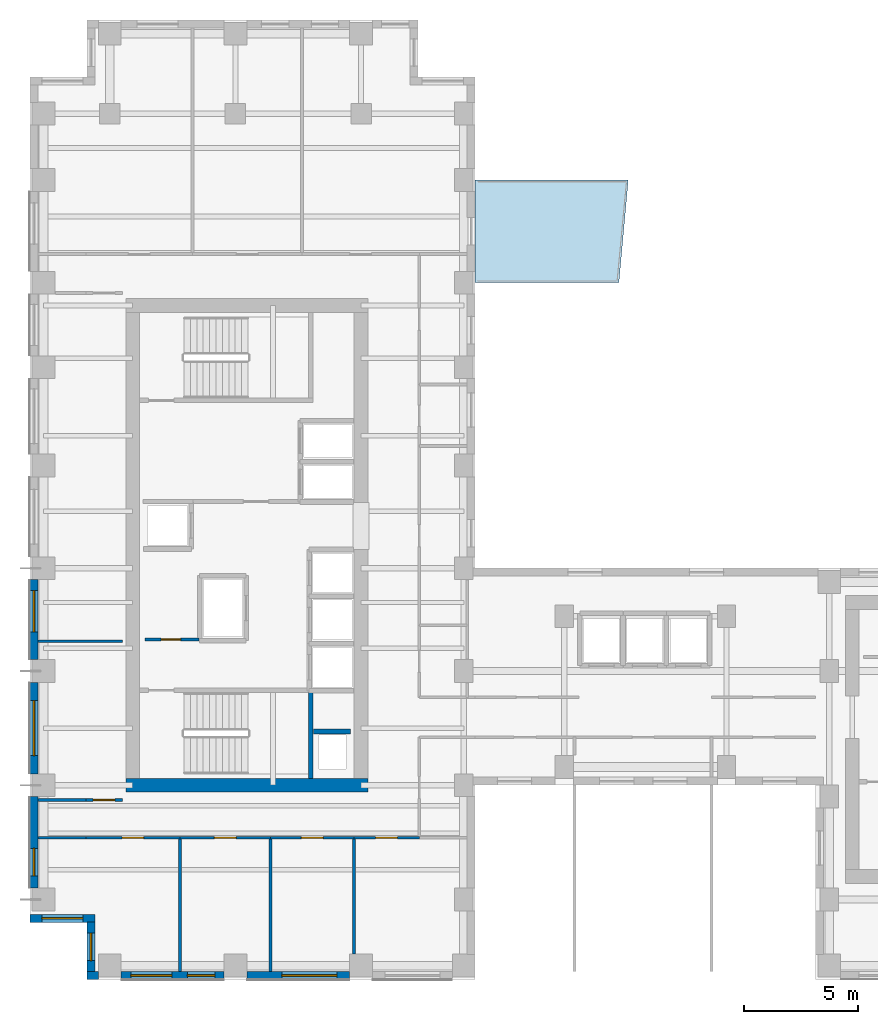
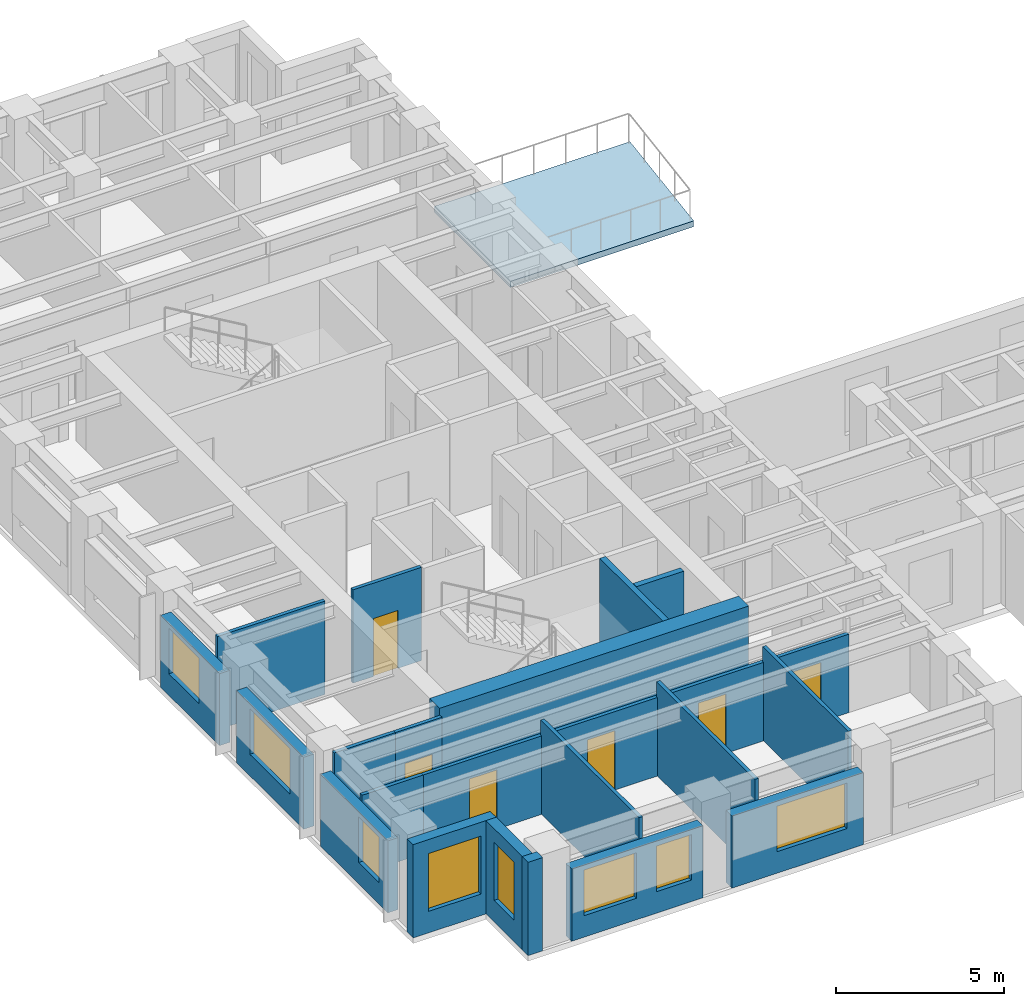
# One storey, part 3 of 11: 23 walls, 8 windows, 6 doors, 1 slab, 14 openings.
"""IFC4 building model written with IfcOpenShell, lengths in metres."""

from ifc_helpers import new_model, si_unit, direction, frame, frame_2d, origin, place, context, subcontext, project, spatial, polyline, rectangle, outline, extrude, source, transform, mapped, material, layer, layer_set, type_object, element, fill, save


model = new_model("IFC4")

# Units and contexts
model_context = context("Model", 3, precision=1e-05, world=origin(), true_north=direction((0.0, 1.0)))
body_context = subcontext(model_context, "Body", "Model", "MODEL_VIEW")
ifc_project = project(units=[si_unit("LENGTHUNIT", "METRE"), si_unit("AREAUNIT", "SQUARE_METRE"), si_unit("VOLUMEUNIT", "CUBIC_METRE"), si_unit("PLANEANGLEUNIT", "RADIAN"), si_unit("MASSUNIT", "GRAM", prefix="KILO")], contexts=[model_context])

# Site, building, storey
site_placement = place(None, origin())
site = spatial("IfcSite", under=ifc_project, at=site_placement, CompositionType="ELEMENT")
building_placement = place(site_placement, origin())
building = spatial("IfcBuilding", under=site, at=building_placement, Name="Kharzan Plaza Tower", CompositionType="ELEMENT")
storey_placement = place(building_placement, frame((0.0, 0.0, 200.699951171875)))
storey = spatial("IfcBuildingStorey", under=building, at=storey_placement, Name="L54", CompositionType="ELEMENT", Elevation=200.699951171875)

# Slab
ifc_material_1 = material(Name="Concrete C40/50", Category="concrete")
ifc_layer_1 = layer(ifc_material_1, 0.215087890625)
ifc_layer_set_1 = layer_set([ifc_layer_1], Name="Concrete C40/50")
slab_type = type_object("IfcSlabType", Name="SL-TRAY-215", PredefinedType="ROOF", material=ifc_layer_set_1)
slab_placement = place(storey_placement, frame((0.0, 0.0, -0.21484375)))
element("IfcSlab", 1, at=slab_placement, inside=storey, type_object=slab_type, Name="L54 Sky Terrace Tray Slab", PredefinedType="ROOF", context=body_context, shape_type="SweptSolid", body=[
    extrude(outline(polyline([(19.5, 30.5), (25.7900390625, 30.5), (26.199951171875, 35.0), (19.5, 35.0), (19.5, 30.5)])), origin(), (0.0, 0.0, 1.0), 0.21484375),
])

# Wall, opening, window
ifc_layer_2 = layer(ifc_material_1, 0.35009765625)
ifc_layer_set_2 = layer_set([ifc_layer_2], Name="Concrete C40/50")
wall_type_1 = type_object("IfcWallType", Name="WL-EXT-MAS-Z3", PredefinedType="SOLIDWALL", material=ifc_layer_set_2)
wall_1_placement = place(storey_placement, frame((0.175048828125, 17.501953125, 0.0), z_axis=(0.0, 0.0, 1.0), x_axis=(0.0, -1.0, 0.0)))
wall_1 = element("IfcWall", 2, at=wall_1_placement, inside=storey, type_object=wall_type_1, Name="L54 Masonry-Frame Exterior Wall 15", PredefinedType="SOLIDWALL", context=body_context, shape_type="SweptSolid", body=[
    extrude(rectangle(XDim=3.50390625, YDim=0.35009765625, at=frame_2d((1.751953125, 0.0))), origin(), (0.0, 0.0, 1.0), 2.612060546875),
])
opening_1_placement = place(wall_1_placement, frame((0.486083984375, 0.0, 0.780029296875)))
opening_1 = element("IfcOpeningElement", 3, at=opening_1_placement, cuts=wall_1, Name="Opening W1", PredefinedType="OPENING", context=body_context, shape_type="SweptSolid", body=[
    extrude(rectangle(XDim=1.800048828125, YDim=1.652099609375, at=frame_2d((0.89990234375, 0.826171875))), frame((0.0, 0.18505859375, 0.0), z_axis=(0.0, -1.0, 0.0), x_axis=(1.0, 0.0, 0.0)), (0.0, 0.0, 1.0), 0.3701171875),
])
ifc_material_2 = material(Name="Low-E Double Glazing", Category="glass")
window_type_1 = type_object("IfcWindowType", Name="WN-REC-1800x2100", PartitioningType="SINGLE_PANEL", PredefinedType="WINDOW", material=ifc_material_2)
shared_shape_1 = source(origin(), body_context, "Body", "SweptSolid", [
    extrude(rectangle(XDim=1.800048828125, YDim=1.652099609375, at=frame_2d((0.89990234375, 0.826171875))), frame((0.0, 0.030029296875, 0.0), z_axis=(0.0, -1.0, 0.0), x_axis=(1.0, 0.0, 0.0)), (0.0, 0.0, 1.0), 0.06005859375),
])
window_1_placement = place(opening_1_placement, origin())
window_1 = element("IfcWindow", 4, at=window_1_placement, inside=storey, type_object=window_type_1, Name="L54 Recessed Solar-Control Window 15-1", OverallHeight=1.652099609375, OverallWidth=1.800048828125, PartitioningType="SINGLE_PANEL", PredefinedType="WINDOW", context=body_context, shape_type="MappedRepresentation", body=[
    mapped(shared_shape_1, transform((0.0, 0.0, 0.0), x_axis=(1.0, 0.0, 0.0), y_axis=(0.0, 1.0, 0.0), z_axis=(0.0, 0.0, 1.0))),
])
fill(opening_1, window_1)

wall_2_placement = place(storey_placement, frame((0.175048828125, 13.001953125, 0.0), z_axis=(0.0, 0.0, 1.0), x_axis=(0.0, -1.0, 0.0)))
wall_2 = element("IfcWall", 5, at=wall_2_placement, inside=storey, type_object=wall_type_1, Name="L54 Masonry-Frame Exterior Wall 16", PredefinedType="SOLIDWALL", context=body_context, shape_type="SweptSolid", body=[
    extrude(rectangle(XDim=4.00390625, YDim=0.35009765625, at=frame_2d((2.001953125, 0.0))), origin(), (0.0, 0.0, 1.0), 2.612060546875),
])
opening_2_placement = place(wall_2_placement, frame((0.802001953125, 0.0, 0.780029296875)))
opening_2 = element("IfcOpeningElement", 6, at=opening_2_placement, cuts=wall_2, Name="Opening W2", PredefinedType="OPENING", context=body_context, shape_type="SweptSolid", body=[
    extrude(rectangle(XDim=2.39990234375, YDim=1.652099609375, at=frame_2d((1.199951171875, 0.826171875))), frame((0.0, 0.18505859375, 0.0), z_axis=(0.0, -1.0, 0.0), x_axis=(1.0, 0.0, 0.0)), (0.0, 0.0, 1.0), 0.3701171875),
])
window_type_2 = type_object("IfcWindowType", Name="WN-REC-2400x2100", PartitioningType="SINGLE_PANEL", PredefinedType="WINDOW", material=ifc_material_2)
shared_shape_2 = source(origin(), body_context, "Body", "SweptSolid", [
    extrude(rectangle(XDim=2.39990234375, YDim=1.652099609375, at=frame_2d((1.199951171875, 0.826171875))), frame((0.0, 0.030029296875, 0.0), z_axis=(0.0, -1.0, 0.0), x_axis=(1.0, 0.0, 0.0)), (0.0, 0.0, 1.0), 0.06005859375),
])
window_2_placement = place(opening_2_placement, origin())
window_2 = element("IfcWindow", 7, at=window_2_placement, inside=storey, type_object=window_type_2, Name="L54 Wide Recessed Solar-Control Window 16-1", OverallHeight=1.652099609375, OverallWidth=2.39990234375, PartitioningType="SINGLE_PANEL", PredefinedType="WINDOW", context=body_context, shape_type="MappedRepresentation", body=[
    mapped(shared_shape_2, transform((0.0, 0.0, 0.0), x_axis=(1.0, 0.0, 0.0), y_axis=(0.0, 1.0, 0.0), z_axis=(0.0, 0.0, 1.0))),
])
fill(opening_2, window_2)

wall_3_placement = place(storey_placement, frame((0.175048828125, 8.001953125, 0.0), z_axis=(0.0, 0.0, 1.0), x_axis=(0.0, -1.0, 0.0)))
wall_3 = element("IfcWall", 8, at=wall_3_placement, inside=storey, type_object=wall_type_1, Name="L54 Masonry-Frame Exterior Wall 17", PredefinedType="SOLIDWALL", context=body_context, shape_type="SweptSolid", body=[
    extrude(rectangle(XDim=4.00390625, YDim=0.35009765625, at=frame_2d((2.001953125, 0.0))), origin(), (0.0, 0.0, 1.0), 2.612060546875),
])
opening_3_placement = place(wall_3_placement, frame((2.26806640625, 0.0, 0.780029296875)))
opening_3 = element("IfcOpeningElement", 9, at=opening_3_placement, cuts=wall_3, Name="Opening W3", PredefinedType="OPENING", context=body_context, shape_type="SweptSolid", body=[
    extrude(rectangle(XDim=1.199951171875, YDim=1.652099609375, at=frame_2d((0.60009765625, 0.826171875))), frame((0.0, 0.18505859375, 0.0), z_axis=(0.0, -1.0, 0.0), x_axis=(1.0, 0.0, 0.0)), (0.0, 0.0, 1.0), 0.3701171875),
])
window_type_3 = type_object("IfcWindowType", Name="WN-REC-1200x2100", PartitioningType="SINGLE_PANEL", PredefinedType="WINDOW", material=ifc_material_2)
shared_shape_3 = source(origin(), body_context, "Body", "SweptSolid", [
    extrude(rectangle(XDim=1.199951171875, YDim=1.652099609375, at=frame_2d((0.60009765625, 0.826171875))), frame((0.0, 0.030029296875, 0.0), z_axis=(0.0, -1.0, 0.0), x_axis=(1.0, 0.0, 0.0)), (0.0, 0.0, 1.0), 0.06005859375),
])
window_3_placement = place(opening_3_placement, origin())
window_3 = element("IfcWindow", 10, at=window_3_placement, inside=storey, type_object=window_type_3, Name="L54 Recessed Solar-Control Window 17-1", OverallHeight=1.652099609375, OverallWidth=1.199951171875, PartitioningType="SINGLE_PANEL", PredefinedType="WINDOW", context=body_context, shape_type="MappedRepresentation", body=[
    mapped(shared_shape_3, transform((0.0, 0.0, 0.0), x_axis=(1.0, 0.0, 0.0), y_axis=(0.0, 1.0, 0.0), z_axis=(0.0, 0.0, 1.0))),
])
fill(opening_3, window_3)

wall_4_placement = place(storey_placement, frame((0.0, 2.675048828125, 0.0), z_axis=(0.0, 0.0, 1.0), x_axis=(1.0, 0.0, 0.0)))
wall_4 = element("IfcWall", 11, at=wall_4_placement, inside=storey, type_object=wall_type_1, Name="L54 Masonry-Frame Exterior Wall 18", PredefinedType="SOLIDWALL", context=body_context, shape_type="SweptSolid", body=[
    extrude(rectangle(XDim=2.85009765625, YDim=0.35009765625, at=frame_2d((1.425048828125, 0.0))), origin(), (0.0, 0.0, 1.0), 3.385009765625),
])
opening_4_placement = place(wall_4_placement, frame((0.52490234375, 0.0, 0.780029296875)))
opening_4 = element("IfcOpeningElement", 12, at=opening_4_placement, cuts=wall_4, Name="Opening W1", PredefinedType="OPENING", context=body_context, shape_type="SweptSolid", body=[
    extrude(rectangle(XDim=1.800048828125, YDim=2.10009765625, at=frame_2d((0.89990234375, 1.050048828125))), frame((0.0, 0.18505859375, 0.0), z_axis=(0.0, -1.0, 0.0), x_axis=(1.0, 0.0, 0.0)), (0.0, 0.0, 1.0), 0.3701171875),
])
shared_shape_4 = source(origin(), body_context, "Body", "SweptSolid", [
    extrude(rectangle(XDim=1.800048828125, YDim=2.10009765625, at=frame_2d((0.89990234375, 1.050048828125))), frame((0.0, 0.030029296875, 0.0), z_axis=(0.0, -1.0, 0.0), x_axis=(1.0, 0.0, 0.0)), (0.0, 0.0, 1.0), 0.06005859375),
])
window_4_placement = place(opening_4_placement, origin())
window_4 = element("IfcWindow", 13, at=window_4_placement, inside=storey, type_object=window_type_1, Name="L54 Recessed Solar-Control Window 18-1", OverallHeight=2.10009765625, OverallWidth=1.800048828125, PartitioningType="SINGLE_PANEL", PredefinedType="WINDOW", context=body_context, shape_type="MappedRepresentation", body=[
    mapped(shared_shape_4, transform((0.0, 0.0, 0.0), x_axis=(1.0, 0.0, 0.0), y_axis=(0.0, 1.0, 0.0), z_axis=(0.0, 0.0, 1.0))),
])
fill(opening_4, window_4)

wall_5_placement = place(storey_placement, frame((2.675048828125, 2.501953125, 0.0), z_axis=(0.0, 0.0, 1.0), x_axis=(0.0, -1.0, 0.0)))
wall_5 = element("IfcWall", 14, at=wall_5_placement, inside=storey, type_object=wall_type_1, Name="L54 Masonry-Frame Exterior Wall 19", PredefinedType="SOLIDWALL", context=body_context, shape_type="SweptSolid", body=[
    extrude(rectangle(XDim=2.154052734375, YDim=0.35009765625, at=frame_2d((1.0771484375, 0.0))), origin(), (0.0, 0.0, 1.0), 3.385009765625),
])
opening_5_placement = place(wall_5_placement, frame((0.47705078125, 0.0, 0.780029296875)))
opening_5 = element("IfcOpeningElement", 15, at=opening_5_placement, cuts=wall_5, Name="Opening W3", PredefinedType="OPENING", context=body_context, shape_type="SweptSolid", body=[
    extrude(rectangle(XDim=1.199951171875, YDim=2.10009765625, at=frame_2d((0.60009765625, 1.050048828125))), frame((0.0, 0.18505859375, 0.0), z_axis=(0.0, -1.0, 0.0), x_axis=(1.0, 0.0, 0.0)), (0.0, 0.0, 1.0), 0.3701171875),
])
shared_shape_5 = source(origin(), body_context, "Body", "SweptSolid", [
    extrude(rectangle(XDim=1.199951171875, YDim=2.10009765625, at=frame_2d((0.60009765625, 1.050048828125))), frame((0.0, 0.030029296875, 0.0), z_axis=(0.0, -1.0, 0.0), x_axis=(1.0, 0.0, 0.0)), (0.0, 0.0, 1.0), 0.06005859375),
])
window_5_placement = place(opening_5_placement, origin())
window_5 = element("IfcWindow", 16, at=window_5_placement, inside=storey, type_object=window_type_3, Name="L54 Recessed Solar-Control Window 19-1", OverallHeight=2.10009765625, OverallWidth=1.199951171875, PartitioningType="SINGLE_PANEL", PredefinedType="WINDOW", context=body_context, shape_type="MappedRepresentation", body=[
    mapped(shared_shape_5, transform((0.0, 0.0, 0.0), x_axis=(1.0, 0.0, 0.0), y_axis=(0.0, 1.0, 0.0), z_axis=(0.0, 0.0, 1.0))),
])
fill(opening_5, window_5)

# Wall, openings, windows
wall_6_placement = place(storey_placement, frame((3.998046875, 0.175048828125, 0.0), z_axis=(0.0, 0.0, 1.0), x_axis=(1.0, 0.0, 0.0)))
wall_6 = element("IfcWall", 17, at=wall_6_placement, inside=storey, type_object=wall_type_1, Name="L54 Masonry-Frame Exterior Wall 21", PredefinedType="SOLIDWALL", context=body_context, shape_type="SweptSolid", body=[
    extrude(rectangle(XDim=4.50390625, YDim=0.35009765625, at=frame_2d((2.251953125, 0.0))), origin(), (0.0, 0.0, 1.0), 2.612060546875),
])
opening_6_placement = place(wall_6_placement, frame((0.422119140625, 0.0, 0.780029296875)))
opening_6 = element("IfcOpeningElement", 18, at=opening_6_placement, cuts=wall_6, Name="Opening W1", PredefinedType="OPENING", context=body_context, shape_type="SweptSolid", body=[
    extrude(rectangle(XDim=1.800048828125, YDim=1.652099609375, at=frame_2d((0.89990234375, 0.826171875))), frame((0.0, 0.18505859375, 0.0), z_axis=(0.0, -1.0, 0.0), x_axis=(1.0, 0.0, 0.0)), (0.0, 0.0, 1.0), 0.3701171875),
])
opening_7_placement = place(wall_6_placement, frame((2.904052734375, 0.0, 0.780029296875)))
opening_7 = element("IfcOpeningElement", 19, at=opening_7_placement, cuts=wall_6, Name="Opening W3", PredefinedType="OPENING", context=body_context, shape_type="SweptSolid", body=[
    extrude(rectangle(XDim=1.199951171875, YDim=1.652099609375, at=frame_2d((0.60009765625, 0.826171875))), frame((0.0, 0.18505859375, 0.0), z_axis=(0.0, -1.0, 0.0), x_axis=(1.0, 0.0, 0.0)), (0.0, 0.0, 1.0), 0.3701171875),
])
window_6_placement = place(opening_6_placement, origin())
window_6 = element("IfcWindow", 20, at=window_6_placement, inside=storey, type_object=window_type_1, Name="L54 Recessed Solar-Control Window 21-1", OverallHeight=1.652099609375, OverallWidth=1.800048828125, PartitioningType="SINGLE_PANEL", PredefinedType="WINDOW", context=body_context, shape_type="MappedRepresentation", body=[
    mapped(shared_shape_1, transform((0.0, 0.0, 0.0), x_axis=(1.0, 0.0, 0.0), y_axis=(0.0, 1.0, 0.0), z_axis=(0.0, 0.0, 1.0))),
])
fill(opening_6, window_6)
window_7_placement = place(opening_7_placement, origin())
window_7 = element("IfcWindow", 21, at=window_7_placement, inside=storey, type_object=window_type_3, Name="L54 Recessed Solar-Control Window 21-2", OverallHeight=1.652099609375, OverallWidth=1.199951171875, PartitioningType="SINGLE_PANEL", PredefinedType="WINDOW", context=body_context, shape_type="MappedRepresentation", body=[
    mapped(shared_shape_3, transform((0.0, 0.0, 0.0), x_axis=(1.0, 0.0, 0.0), y_axis=(0.0, 1.0, 0.0), z_axis=(0.0, 0.0, 1.0))),
])
fill(opening_7, window_7)

# Wall, opening, window
wall_7_placement = place(storey_placement, frame((9.498046875, 0.175048828125, 0.0), z_axis=(0.0, 0.0, 1.0), x_axis=(1.0, 0.0, 0.0)))
wall_7 = element("IfcWall", 22, at=wall_7_placement, inside=storey, type_object=wall_type_1, Name="L54 Masonry-Frame Exterior Wall 22", PredefinedType="SOLIDWALL", context=body_context, shape_type="SweptSolid", body=[
    extrude(rectangle(XDim=4.50390625, YDim=0.35009765625, at=frame_2d((2.251953125, 0.0))), origin(), (0.0, 0.0, 1.0), 2.612060546875),
])
opening_8_placement = place(wall_7_placement, frame((1.5400390625, 0.0, 0.780029296875)))
opening_8 = element("IfcOpeningElement", 23, at=opening_8_placement, cuts=wall_7, Name="Opening W2", PredefinedType="OPENING", context=body_context, shape_type="SweptSolid", body=[
    extrude(rectangle(XDim=2.39990234375, YDim=1.652099609375, at=frame_2d((1.199951171875, 0.826171875))), frame((0.0, 0.18505859375, 0.0), z_axis=(0.0, -1.0, 0.0), x_axis=(1.0, 0.0, 0.0)), (0.0, 0.0, 1.0), 0.3701171875),
])
window_8_placement = place(opening_8_placement, origin())
window_8 = element("IfcWindow", 24, at=window_8_placement, inside=storey, type_object=window_type_2, Name="L54 Wide Recessed Solar-Control Window 22-1", OverallHeight=1.652099609375, OverallWidth=2.39990234375, PartitioningType="SINGLE_PANEL", PredefinedType="WINDOW", context=body_context, shape_type="MappedRepresentation", body=[
    mapped(shared_shape_2, transform((0.0, 0.0, 0.0), x_axis=(1.0, 0.0, 0.0), y_axis=(0.0, 1.0, 0.0), z_axis=(0.0, 0.0, 1.0))),
])
fill(opening_8, window_8)

# Wall, opening, door
ifc_material_3 = material(Name="Fire-Rated Gypsum Board Partition", Category="gypsum")
ifc_layer_3 = layer(ifc_material_3, 0.125)
ifc_layer_set_3 = layer_set([ifc_layer_3], Name="Fire-Rated Gypsum Board Partition")
wall_type_2 = type_object("IfcWallType", Name="WL-INT-PART-125", PredefinedType="PARTITIONING", material=ifc_layer_set_3)
wall_8_placement = place(storey_placement, frame((5.050048828125, 14.8798828125, 0.0), z_axis=(0.0, 0.0, 1.0), x_axis=(1.0, 0.0, 0.0)))
wall_8 = element("IfcWall", 25, at=wall_8_placement, inside=storey, type_object=wall_type_2, Name="L54 Interior Partition CA-K0", PredefinedType="PARTITIONING", context=body_context, shape_type="SweptSolid", body=[
    extrude(rectangle(XDim=2.349853515625, YDim=0.125, at=frame_2d((1.1748046875, 0.0))), origin(), (0.0, 0.0, 1.0), 3.385009765625),
])
opening_9_placement = place(wall_8_placement, frame((0.699951171875, 0.0, 0.0)))
opening_9 = element("IfcOpeningElement", 26, at=opening_9_placement, cuts=wall_8, Name="Opening RD1", PredefinedType="OPENING", context=body_context, shape_type="SweptSolid", body=[
    extrude(rectangle(XDim=0.85009765625, YDim=2.10009765625, at=frame_2d((0.425048828125, 1.050048828125))), frame((0.0, 0.072509765625, 0.0), z_axis=(0.0, -1.0, 0.0), x_axis=(1.0, 0.0, 0.0)), (0.0, 0.0, 1.0), 0.14501953125),
])
ifc_material_4 = material(Name="Powder-Coated Fire-Rated Steel", Category="steel")
door_type_1 = type_object("IfcDoorType", Name="DR-RISER-900", OperationType="NOTDEFINED", PredefinedType="DOOR", material=ifc_material_4)
shared_shape_6 = source(origin(), body_context, "Body", "SweptSolid", [
    extrude(rectangle(XDim=0.85009765625, YDim=2.10009765625, at=frame_2d((0.425048828125, 1.050048828125))), frame((0.0, 0.02490234375, 0.0), z_axis=(0.0, -1.0, 0.0), x_axis=(1.0, 0.0, 0.0)), (0.0, 0.0, 1.0), 0.050048828125),
])
door_1_placement = place(opening_9_placement, origin())
door_1 = element("IfcDoor", 27, at=door_1_placement, inside=storey, type_object=door_type_1, Name="L54 Cleaners Store Door", OperationType="SINGLE_SWING_RIGHT", OverallHeight=2.10009765625, OverallWidth=0.85009765625, PredefinedType="DOOR", context=body_context, shape_type="MappedRepresentation", body=[
    mapped(shared_shape_6, transform((0.0, 0.0, 0.0), x_axis=(1.0, 0.0, 0.0), y_axis=(0.0, 1.0, 0.0), z_axis=(0.0, 0.0, 1.0))),
])
fill(opening_9, door_1)

wall_9_placement = place(storey_placement, frame((2.449951171875, 7.85009765625, 0.0), z_axis=(0.0, 0.0, 1.0), x_axis=(1.0, 0.0, 0.0)))
wall_9 = element("IfcWall", 28, at=wall_9_placement, inside=storey, type_object=wall_type_2, Name="L54 Interior Partition SH-RWSD", PredefinedType="PARTITIONING", context=body_context, shape_type="SweptSolid", body=[
    extrude(rectangle(XDim=1.60009765625, YDim=0.125, at=frame_2d((0.800048828125, 0.0))), origin(), (0.0, 0.0, 1.0), 3.385009765625),
])
opening_10_placement = place(wall_9_placement, frame((0.324951171875, 0.0, 0.0)))
opening_10 = element("IfcOpeningElement", 29, at=opening_10_placement, cuts=wall_9, Name="Opening OD1", PredefinedType="OPENING", context=body_context, shape_type="SweptSolid", body=[
    extrude(rectangle(XDim=0.949951171875, YDim=2.14990234375, at=frame_2d((0.47509765625, 1.074951171875))), frame((0.0, 0.072509765625, 0.0), z_axis=(0.0, -1.0, 0.0), x_axis=(1.0, 0.0, 0.0)), (0.0, 0.0, 1.0), 0.14501953125),
])
ifc_material_5 = material(Name="Acoustic Solid-Core Stained Oak", Category="timber")
door_type_2 = type_object("IfcDoorType", Name="DR-OFF-SINGLE", OperationType="NOTDEFINED", PredefinedType="DOOR", material=ifc_material_5)
shared_shape_7 = source(origin(), body_context, "Body", "SweptSolid", [
    extrude(rectangle(XDim=0.949951171875, YDim=2.14990234375, at=frame_2d((0.47509765625, 1.074951171875))), frame((0.0, 0.02490234375, 0.0), z_axis=(0.0, -1.0, 0.0), x_axis=(1.0, 0.0, 0.0)), (0.0, 0.0, 1.0), 0.050048828125),
])
door_2_placement = place(opening_10_placement, origin())
door_2 = element("IfcDoor", 30, at=door_2_placement, inside=storey, type_object=door_type_2, Name="L54 West Office 1 Door", OperationType="SINGLE_SWING_LEFT", OverallHeight=2.14990234375, OverallWidth=0.949951171875, PredefinedType="DOOR", context=body_context, shape_type="MappedRepresentation", body=[
    mapped(shared_shape_7, transform((0.0, 0.0, 0.0), x_axis=(1.0, 0.0, 0.0), y_axis=(0.0, 1.0, 0.0), z_axis=(0.0, 0.0, 1.0))),
])
fill(opening_10, door_2)

wall_10_placement = place(storey_placement, frame((2.449951171875, 6.199951171875, 0.0), z_axis=(0.0, 0.0, 1.0), x_axis=(1.0, 0.0, 0.0)))
wall_10 = element("IfcWall", 31, at=wall_10_placement, inside=storey, type_object=wall_type_2, Name="L54 Interior Partition SH-SS-1", PredefinedType="PARTITIONING", context=body_context, shape_type="SweptSolid", body=[
    extrude(rectangle(XDim=4.1220703125, YDim=0.125, at=frame_2d((2.06103515625, 0.0))), origin(), (0.0, 0.0, 1.0), 2.84814453125),
])
opening_11_placement = place(wall_10_placement, frame((1.5859375, 0.0, 0.0)))
opening_11 = element("IfcOpeningElement", 32, at=opening_11_placement, cuts=wall_10, Name="Opening OD1", PredefinedType="OPENING", context=body_context, shape_type="SweptSolid", body=[
    extrude(rectangle(XDim=0.949951171875, YDim=2.14990234375, at=frame_2d((0.47509765625, 1.074951171875))), frame((0.0, 0.072509765625, 0.0), z_axis=(0.0, -1.0, 0.0), x_axis=(1.0, 0.0, 0.0)), (0.0, 0.0, 1.0), 0.14501953125),
])
door_3_placement = place(opening_11_placement, origin())
door_3 = element("IfcDoor", 33, at=door_3_placement, inside=storey, type_object=door_type_2, Name="L54 Standards Compliance Office Door", OperationType="SINGLE_SWING_LEFT", OverallHeight=2.14990234375, OverallWidth=0.949951171875, PredefinedType="DOOR", context=body_context, shape_type="MappedRepresentation", body=[
    mapped(shared_shape_7, transform((0.0, 0.0, 0.0), x_axis=(1.0, 0.0, 0.0), y_axis=(0.0, 1.0, 0.0), z_axis=(0.0, 0.0, 1.0))),
])
fill(opening_11, door_3)

wall_11_placement = place(storey_placement, frame((6.572021484375, 6.199951171875, 0.0), z_axis=(0.0, 0.0, 1.0), x_axis=(1.0, 0.0, 0.0)))
wall_11 = element("IfcWall", 34, at=wall_11_placement, inside=storey, type_object=wall_type_2, Name="L54 Interior Partition SH-SS-2", PredefinedType="PARTITIONING", context=body_context, shape_type="SweptSolid", body=[
    extrude(rectangle(XDim=3.971923828125, YDim=0.125, at=frame_2d((1.98583984375, 0.0))), origin(), (0.0, 0.0, 1.0), 2.84814453125),
])
opening_12_placement = place(wall_11_placement, frame((1.510986328125, 0.0, 0.0)))
opening_12 = element("IfcOpeningElement", 35, at=opening_12_placement, cuts=wall_11, Name="Opening OD1", PredefinedType="OPENING", context=body_context, shape_type="SweptSolid", body=[
    extrude(rectangle(XDim=0.949951171875, YDim=2.14990234375, at=frame_2d((0.47509765625, 1.074951171875))), frame((0.0, 0.072509765625, 0.0), z_axis=(0.0, -1.0, 0.0), x_axis=(1.0, 0.0, 0.0)), (0.0, 0.0, 1.0), 0.14501953125),
])
door_4_placement = place(opening_12_placement, origin())
door_4 = element("IfcDoor", 36, at=door_4_placement, inside=storey, type_object=door_type_2, Name="L54 Architectural Design Studio Door", OperationType="SINGLE_SWING_RIGHT", OverallHeight=2.14990234375, OverallWidth=0.949951171875, PredefinedType="DOOR", context=body_context, shape_type="MappedRepresentation", body=[
    mapped(shared_shape_7, transform((0.0, 0.0, 0.0), x_axis=(1.0, 0.0, 0.0), y_axis=(0.0, 1.0, 0.0), z_axis=(0.0, 0.0, 1.0))),
])
fill(opening_12, door_4)

wall_12_placement = place(storey_placement, frame((10.5439453125, 6.199951171875, 0.0), z_axis=(0.0, 0.0, 1.0), x_axis=(1.0, 0.0, 0.0)))
wall_12 = element("IfcWall", 37, at=wall_12_placement, inside=storey, type_object=wall_type_2, Name="L54 Interior Partition SH-SS-3", PredefinedType="PARTITIONING", context=body_context, shape_type="SweptSolid", body=[
    extrude(rectangle(XDim=3.64111328125, YDim=0.125, at=frame_2d((1.820556640625, 0.0))), origin(), (0.0, 0.0, 1.0), 2.84814453125),
])
opening_13_placement = place(wall_12_placement, frame((1.345458984375, 0.0, 0.0)))
opening_13 = element("IfcOpeningElement", 38, at=opening_13_placement, cuts=wall_12, Name="Opening OD1", PredefinedType="OPENING", context=body_context, shape_type="SweptSolid", body=[
    extrude(rectangle(XDim=0.949951171875, YDim=2.14990234375, at=frame_2d((0.47509765625, 1.074951171875))), frame((0.0, 0.072509765625, 0.0), z_axis=(0.0, -1.0, 0.0), x_axis=(1.0, 0.0, 0.0)), (0.0, 0.0, 1.0), 0.14501953125),
])
door_5_placement = place(opening_13_placement, origin())
door_5 = element("IfcDoor", 39, at=door_5_placement, inside=storey, type_object=door_type_2, Name="L54 Architectural Design Studio Door", OperationType="SINGLE_SWING_LEFT", OverallHeight=2.14990234375, OverallWidth=0.949951171875, PredefinedType="DOOR", context=body_context, shape_type="MappedRepresentation", body=[
    mapped(shared_shape_7, transform((0.0, 0.0, 0.0), x_axis=(1.0, 0.0, 0.0), y_axis=(0.0, 1.0, 0.0), z_axis=(0.0, 0.0, 1.0))),
])
fill(opening_13, door_5)

wall_13_placement = place(storey_placement, frame((14.18505859375, 6.199951171875, 0.0), z_axis=(0.0, 0.0, 1.0), x_axis=(1.0, 0.0, 0.0)))
wall_13 = element("IfcWall", 40, at=wall_13_placement, inside=storey, type_object=wall_type_2, Name="L54 Interior Partition SH-SS-4", PredefinedType="PARTITIONING", context=body_context, shape_type="SweptSolid", body=[
    extrude(rectangle(XDim=2.864990234375, YDim=0.125, at=frame_2d((1.4326171875, 0.0))), origin(), (0.0, 0.0, 1.0), 2.84814453125),
])
opening_14_placement = place(wall_13_placement, frame((0.95751953125, 0.0, 0.0)))
opening_14 = element("IfcOpeningElement", 41, at=opening_14_placement, cuts=wall_13, Name="Opening OD1", PredefinedType="OPENING", context=body_context, shape_type="SweptSolid", body=[
    extrude(rectangle(XDim=0.949951171875, YDim=2.14990234375, at=frame_2d((0.47509765625, 1.074951171875))), frame((0.0, 0.072509765625, 0.0), z_axis=(0.0, -1.0, 0.0), x_axis=(1.0, 0.0, 0.0)), (0.0, 0.0, 1.0), 0.14501953125),
])
door_6_placement = place(opening_14_placement, origin())
door_6 = element("IfcDoor", 42, at=door_6_placement, inside=storey, type_object=door_type_2, Name="L54 Naval Engineering Studio Door", OperationType="SINGLE_SWING_RIGHT", OverallHeight=2.14990234375, OverallWidth=0.949951171875, PredefinedType="DOOR", context=body_context, shape_type="MappedRepresentation", body=[
    mapped(shared_shape_7, transform((0.0, 0.0, 0.0), x_axis=(1.0, 0.0, 0.0), y_axis=(0.0, 1.0, 0.0), z_axis=(0.0, 0.0, 1.0))),
])
fill(opening_14, door_6)

# Walls
shared_shape_8 = source(origin(), body_context, "Body", "SweptSolid", [
    extrude(rectangle(XDim=0.501953125, YDim=0.35009765625, at=frame_2d((0.2509765625, 0.0))), origin(), (0.0, 0.0, 1.0), 3.385009765625),
])
wall_14_placement = place(storey_placement, frame((2.5, 0.175048828125, 0.0), z_axis=(0.0, 0.0, 1.0), x_axis=(1.0, 0.0, 0.0)))
element("IfcWall", 43, at=wall_14_placement, inside=storey, type_object=wall_type_1, Name="L54 Masonry-Frame Exterior Wall 20", PredefinedType="SOLIDWALL", context=body_context, shape_type="MappedRepresentation", body=[
    mapped(shared_shape_8, transform((0.0, 0.0, 0.0), x_axis=(1.0, 0.0, 0.0), y_axis=(0.0, 1.0, 0.0), z_axis=(0.0, 0.0, 1.0))),
])
shared_shape_9 = source(origin(), body_context, "Body", "SweptSolid", [
    extrude(rectangle(XDim=2.097900390625, YDim=0.125, at=frame_2d((1.048828125, 0.0))), origin(), (0.0, 0.0, 1.0), 3.385009765625),
])
wall_15_placement = place(storey_placement, frame((0.35205078125, 7.85009765625, 0.0), z_axis=(0.0, 0.0, 1.0), x_axis=(1.0, 0.0, 0.0)))
element("IfcWall", 44, at=wall_15_placement, inside=storey, type_object=wall_type_2, Name="L54 Interior Partition SH-RWS0", PredefinedType="PARTITIONING", context=body_context, shape_type="MappedRepresentation", body=[
    mapped(shared_shape_9, transform((0.0, 0.0, 0.0), x_axis=(1.0, 0.0, 0.0), y_axis=(0.0, 1.0, 0.0), z_axis=(0.0, 0.0, 1.0))),
])
ifc_layer_4 = layer(ifc_material_1, 0.199951171875)
ifc_layer_set_4 = layer_set([ifc_layer_4], Name="Concrete C40/50")
wall_type_3 = type_object("IfcWallType", Name="WL-INT-SHAFT-200", PredefinedType="PARTITIONING", material=ifc_layer_set_4)
shared_shape_10 = source(origin(), body_context, "Body", "SweptSolid", [
    extrude(rectangle(XDim=1.630126953125, YDim=0.199951171875, at=frame_2d((0.81494140625, 0.0))), origin(), (0.0, 0.0, 1.0), 3.385009765625),
])
wall_16_placement = place(storey_placement, frame((12.419921875, 10.85009765625, 0.0), z_axis=(0.0, 0.0, 1.0), x_axis=(1.0, 0.0, 0.0)))
element("IfcWall", 45, at=wall_16_placement, inside=storey, type_object=wall_type_3, Name="L54 Interior Partition CA-RSRA-N", PredefinedType="PARTITIONING", context=body_context, shape_type="MappedRepresentation", body=[
    mapped(shared_shape_10, transform((0.0, 0.0, 0.0), x_axis=(1.0, 0.0, 0.0), y_axis=(0.0, 1.0, 0.0), z_axis=(0.0, 0.0, 1.0))),
])
ifc_material_6 = material(Name="Concrete C50/60", Category="concrete")
ifc_layer_5 = layer(ifc_material_6, 0.60009765625)
ifc_layer_set_5 = layer_set([ifc_layer_5], Name="Concrete C50/60")
wall_type_4 = type_object("IfcWallType", Name="WL-CORE-600", PredefinedType="SHEAR", material=ifc_layer_set_5)
shared_shape_11 = source(origin(), body_context, "Body", "SweptSolid", [
    extrude(rectangle(XDim=10.60009765625, YDim=0.60009765625, at=frame_2d((5.300048828125, 0.0))), origin(), (0.0, 0.0, 1.0), 3.400146484375),
])
wall_17_placement = place(storey_placement, frame((4.199951171875, 8.5, 0.0), z_axis=(0.0, 0.0, 1.0), x_axis=(1.0, 0.0, 0.0)))
element("IfcWall", 46, at=wall_17_placement, inside=storey, type_object=wall_type_4, Name="L54 CORE-A south RC shear wall", PredefinedType="SHEAR", context=body_context, shape_type="MappedRepresentation", body=[
    mapped(shared_shape_11, transform((0.0, 0.0, 0.0), x_axis=(1.0, 0.0, 0.0), y_axis=(0.0, 1.0, 0.0), z_axis=(0.0, 0.0, 1.0))),
])
ifc_layer_6 = layer(ifc_material_6, 0.199951171875)
ifc_layer_set_6 = layer_set([ifc_layer_6], Name="Concrete C50/60")
wall_type_5 = type_object("IfcWallType", Name="WL-SHAFT-RC200", PredefinedType="SHEAR", material=ifc_layer_set_6)
shared_shape_12 = source(origin(), body_context, "Body", "SweptSolid", [
    extrude(rectangle(XDim=3.7529296875, YDim=0.199951171875, at=frame_2d((1.87646484375, 0.0))), origin(), (0.0, 0.0, 1.0), 3.400146484375),
])
wall_18_placement = place(storey_placement, frame((12.304931640625, 8.802001953125, 0.0), z_axis=(0.0, 0.0, 1.0), x_axis=(0.0, 1.0, 0.0)))
element("IfcWall", 47, at=wall_18_placement, inside=storey, type_object=wall_type_5, Name="L54 Stair ST-1 East RC Shaft Wall", PredefinedType="SHEAR", context=body_context, shape_type="MappedRepresentation", body=[
    mapped(shared_shape_12, transform((0.0, 0.0, 0.0), x_axis=(1.0, 0.0, 0.0), y_axis=(0.0, 1.0, 0.0), z_axis=(0.0, 0.0, 1.0))),
])
shared_shape_13 = source(origin(), body_context, "Body", "SweptSolid", [
    extrude(rectangle(XDim=5.847900390625, YDim=0.125, at=frame_2d((2.923828125, 0.0))), origin(), (0.0, 0.0, 1.0), 3.385009765625),
])
for number, where, z_axis, x_axis, name in (
    (48, (6.572021484375, 0.35205078125, 0.0), (0.0, 0.0, 1.0), (0.0, 1.0, 0.0), "L54 Interior Partition SH-SV-1"),
    (49, (10.5439453125, 0.35205078125, 0.0), (0.0, 0.0, 1.0), (0.0, 1.0, 0.0), "L54 Interior Partition SH-SV-2"),
):
    element("IfcWall", number, at=place(storey_placement, frame(where, z_axis=z_axis, x_axis=x_axis)), inside=storey, type_object=wall_type_2, Name=name, PredefinedType="PARTITIONING", context=body_context, shape_type="MappedRepresentation", body=[
        mapped(shared_shape_13, transform((0.0, 0.0, 0.0), x_axis=(1.0, 0.0, 0.0), y_axis=(0.0, 1.0, 0.0), z_axis=(0.0, 0.0, 1.0))),
    ])
shared_shape_14 = source(origin(), body_context, "Body", "SweptSolid", [
    extrude(rectangle(XDim=5.079833984375, YDim=0.125, at=frame_2d((2.5400390625, 0.0))), origin(), (0.0, 0.0, 1.0), 3.385009765625),
])
wall_19_placement = place(storey_placement, frame((14.18505859375, 1.1201171875, 0.0), z_axis=(0.0, 0.0, 1.0), x_axis=(0.0, 1.0, 0.0)))
element("IfcWall", 50, at=wall_19_placement, inside=storey, type_object=wall_type_2, Name="L54 Interior Partition SH-SV-3", PredefinedType="PARTITIONING", context=body_context, shape_type="MappedRepresentation", body=[
    mapped(shared_shape_14, transform((0.0, 0.0, 0.0), x_axis=(1.0, 0.0, 0.0), y_axis=(0.0, 1.0, 0.0), z_axis=(0.0, 0.0, 1.0))),
])
shared_shape_15 = source(origin(), body_context, "Body", "SweptSolid", [
    extrude(rectangle(XDim=3.697998046875, YDim=0.125, at=frame_2d((1.84912109375, 0.0))), origin(), (0.0, 0.0, 1.0), 3.385009765625),
])
wall_20_placement = place(storey_placement, frame((0.35205078125, 14.800048828125, 0.0), z_axis=(0.0, 0.0, 1.0), x_axis=(1.0, 0.0, 0.0)))
element("IfcWall", 51, at=wall_20_placement, inside=storey, type_object=wall_type_2, Name="L54 Interior Partition SH-WMID", PredefinedType="PARTITIONING", context=body_context, shape_type="MappedRepresentation", body=[
    mapped(shared_shape_15, transform((0.0, 0.0, 0.0), x_axis=(1.0, 0.0, 0.0), y_axis=(0.0, 1.0, 0.0), z_axis=(0.0, 0.0, 1.0))),
])
shared_shape_16 = source(origin(), body_context, "Body", "SweptSolid", [
    extrude(rectangle(XDim=2.097900390625, YDim=0.125, at=frame_2d((1.048828125, 0.0))), origin(), (0.0, 0.0, 1.0), 2.84814453125),
])
wall_21_placement = place(storey_placement, frame((0.35205078125, 6.199951171875, 0.0), z_axis=(0.0, 0.0, 1.0), x_axis=(1.0, 0.0, 0.0)))
element("IfcWall", 52, at=wall_21_placement, inside=storey, type_object=wall_type_2, Name="L54 Interior Partition SH-SS-EXT", PredefinedType="PARTITIONING", context=body_context, shape_type="MappedRepresentation", body=[
    mapped(shared_shape_16, transform((0.0, 0.0, 0.0), x_axis=(1.0, 0.0, 0.0), y_axis=(0.0, 1.0, 0.0), z_axis=(0.0, 0.0, 1.0))),
])

save(model, "model.ifc")
